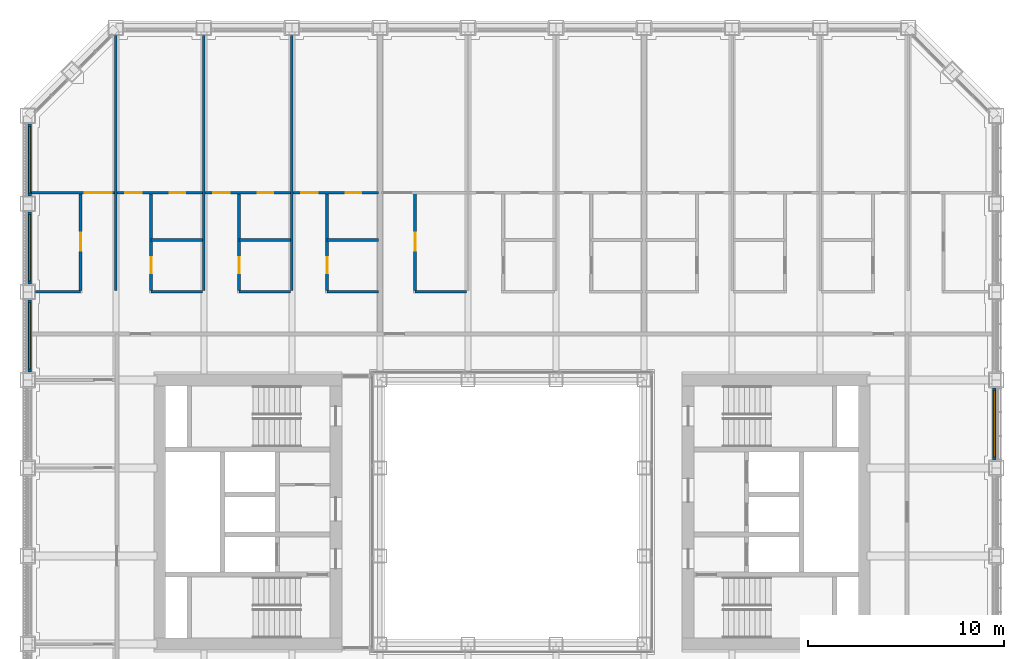
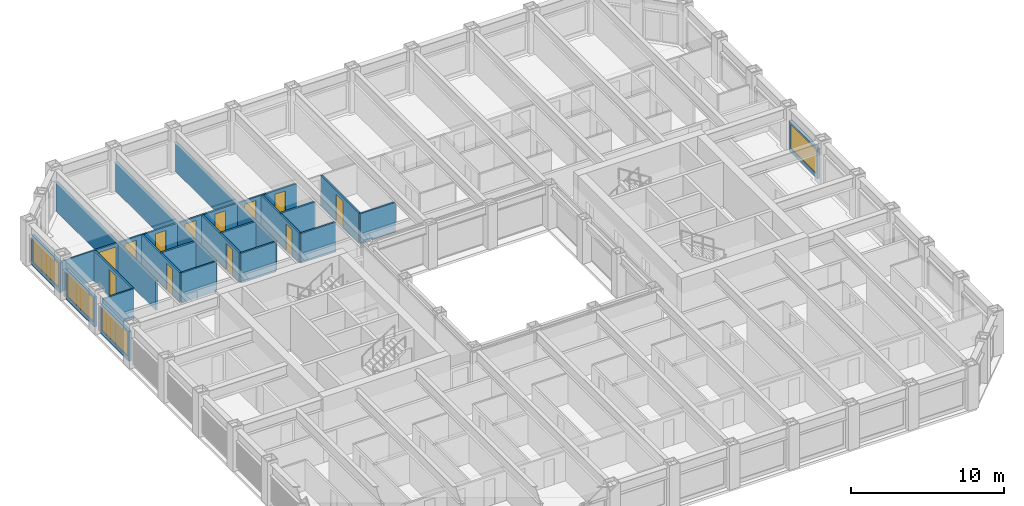
# One storey, part 13 of 21: 24 walls, 12 doors, 4 windows, 16 openings.
"""IFC4 building model written with IfcOpenShell, lengths in metres."""

from ifc_helpers import new_model, si_unit, direction, frame, frame_2d, origin, place, context, subcontext, project, spatial, rectangle, extrude, material, layer, layer_set, type_object, element, fill, save


model = new_model("IFC4")

# Units and contexts
model_context = context("Model", 3, precision=1e-05, world=origin(), true_north=direction((0.0, 1.0)))
body_context = subcontext(model_context, "Body", "Model", "MODEL_VIEW")
ifc_project = project(units=[si_unit("LENGTHUNIT", "METRE"), si_unit("AREAUNIT", "SQUARE_METRE"), si_unit("VOLUMEUNIT", "CUBIC_METRE"), si_unit("PLANEANGLEUNIT", "RADIAN"), si_unit("MASSUNIT", "GRAM", prefix="KILO")], contexts=[model_context])

# Site, building, storey
site_placement = place(None, origin())
site = spatial("IfcSite", under=ifc_project, at=site_placement, CompositionType="ELEMENT")
building_placement = place(site_placement, origin())
building = spatial("IfcBuilding", under=site, at=building_placement, Name="Msasa Ring Tower", CompositionType="ELEMENT")
storey_placement = place(building_placement, frame((0.0, 0.0, 93.0)))
storey = spatial("IfcBuildingStorey", under=building, at=storey_placement, Name="L24", CompositionType="ELEMENT", Elevation=93.0)

# Wall, opening, window
ifc_material_1 = material(Name="Terracotta rainscreen on blockwork", Category="masonry")
ifc_layer_1 = layer(ifc_material_1, 0.199951171875)
ifc_layer_set_1 = layer_set([ifc_layer_1], Name="FW1 TERRACOTTA-LINED INFILL BAY WALL 200")
wall_type_1 = type_object("IfcWallType", Name="FW1 TERRACOTTA-LINED INFILL BAY WALL 200", PredefinedType="SOLIDWALL", material=ifc_layer_set_1)
wall_1_placement = place(storey_placement, frame((24.64990234375, 2.655029296875, 0.0), z_axis=(0.0, 0.0, 1.0), x_axis=(0.0, 1.0, 0.0)))
wall_1 = element("IfcWall", 1, at=wall_1_placement, inside=storey, type_object=wall_type_1, Name="Infill bay wall E L24 16", PredefinedType="SOLIDWALL", context=body_context, shape_type="SweptSolid", body=[
    extrude(rectangle(XDim=3.68994140625, YDim=0.199951171875, at=frame_2d((1.844970703125, 0.0))), origin(), (0.0, 0.0, 1.0), 2.37890625),
])
opening_1_placement = place(wall_1_placement, frame((0.14501953125, 0.0, 0.300048828125)))
opening_1 = element("IfcOpeningElement", 2, at=opening_1_placement, cuts=wall_1, Name="Opening WN1", PredefinedType="OPENING", context=body_context, shape_type="SweptSolid", body=[
    extrude(rectangle(XDim=3.39990234375, YDim=1.928955078125, at=frame_2d((1.699951171875, 0.96435546875))), frame((0.0, 0.10986328125, 0.0), z_axis=(0.0, -1.0, 0.0), x_axis=(1.0, 0.0, 0.0)), (0.0, 0.0, 1.0), 0.219970703125),
])
ifc_material_2 = material(Name="Aluminium frame with clear glass", Category="aluminium")
window_type = type_object("IfcWindowType", Name="WN1 RESIDENCE WINDOW 3400x1929", PartitioningType="SINGLE_PANEL", PredefinedType="WINDOW", material=ifc_material_2)
window_1_placement = place(opening_1_placement, origin())
window_1 = element("IfcWindow", 3, at=window_1_placement, inside=storey, type_object=window_type, Name="Window E L24 16", OverallHeight=1.928955078125, OverallWidth=3.39990234375, PartitioningType="SINGLE_PANEL", PredefinedType="WINDOW", context=body_context, shape_type="SweptSolid", body=[
    extrude(rectangle(XDim=3.39990234375, YDim=1.928955078125, at=frame_2d((1.699951171875, 0.96435546875))), frame((0.0, 0.030029296875, 0.0), z_axis=(0.0, -1.0, 0.0), x_axis=(1.0, 0.0, 0.0)), (0.0, 0.0, 1.0), 0.06005859375),
])
fill(opening_1, window_1)

wall_2_placement = place(storey_placement, frame((-24.64990234375, 7.155029296875, 0.0), z_axis=(0.0, 0.0, 1.0), x_axis=(0.0, 1.0, 0.0)))
wall_2 = element("IfcWall", 4, at=wall_2_placement, inside=storey, type_object=wall_type_1, Name="Infill bay wall W L24 39", PredefinedType="SOLIDWALL", context=body_context, shape_type="SweptSolid", body=[
    extrude(rectangle(XDim=3.68994140625, YDim=0.199951171875, at=frame_2d((1.844970703125, 0.0))), origin(), (0.0, 0.0, 1.0), 2.37890625),
])
opening_2_placement = place(wall_2_placement, frame((0.14501953125, 0.0, 0.300048828125)))
opening_2 = element("IfcOpeningElement", 5, at=opening_2_placement, cuts=wall_2, Name="Opening WN1", PredefinedType="OPENING", context=body_context, shape_type="SweptSolid", body=[
    extrude(rectangle(XDim=3.39990234375, YDim=1.928955078125, at=frame_2d((1.699951171875, 0.96435546875))), frame((0.0, 0.10986328125, 0.0), z_axis=(0.0, -1.0, 0.0), x_axis=(1.0, 0.0, 0.0)), (0.0, 0.0, 1.0), 0.219970703125),
])
window_2_placement = place(opening_2_placement, origin())
window_2 = element("IfcWindow", 6, at=window_2_placement, inside=storey, type_object=window_type, Name="Window W L24 39", OverallHeight=1.928955078125, OverallWidth=3.39990234375, PartitioningType="SINGLE_PANEL", PredefinedType="WINDOW", context=body_context, shape_type="SweptSolid", body=[
    extrude(rectangle(XDim=3.39990234375, YDim=1.928955078125, at=frame_2d((1.699951171875, 0.96435546875))), frame((0.0, 0.030029296875, 0.0), z_axis=(0.0, -1.0, 0.0), x_axis=(1.0, 0.0, 0.0)), (0.0, 0.0, 1.0), 0.06005859375),
])
fill(opening_2, window_2)

wall_3_placement = place(storey_placement, frame((-24.64990234375, 11.655029296875, 0.0), z_axis=(0.0, 0.0, 1.0), x_axis=(0.0, 1.0, 0.0)))
wall_3 = element("IfcWall", 7, at=wall_3_placement, inside=storey, type_object=wall_type_1, Name="Infill bay wall W L24 40", PredefinedType="SOLIDWALL", context=body_context, shape_type="SweptSolid", body=[
    extrude(rectangle(XDim=3.68994140625, YDim=0.199951171875, at=frame_2d((1.844970703125, 0.0))), origin(), (0.0, 0.0, 1.0), 2.37890625),
])
opening_3_placement = place(wall_3_placement, frame((0.14501953125, 0.0, 0.300048828125)))
opening_3 = element("IfcOpeningElement", 8, at=opening_3_placement, cuts=wall_3, Name="Opening WN1", PredefinedType="OPENING", context=body_context, shape_type="SweptSolid", body=[
    extrude(rectangle(XDim=3.39990234375, YDim=1.928955078125, at=frame_2d((1.699951171875, 0.96435546875))), frame((0.0, 0.10986328125, 0.0), z_axis=(0.0, -1.0, 0.0), x_axis=(1.0, 0.0, 0.0)), (0.0, 0.0, 1.0), 0.219970703125),
])
window_3_placement = place(opening_3_placement, origin())
window_3 = element("IfcWindow", 9, at=window_3_placement, inside=storey, type_object=window_type, Name="Window W L24 40", OverallHeight=1.928955078125, OverallWidth=3.39990234375, PartitioningType="SINGLE_PANEL", PredefinedType="WINDOW", context=body_context, shape_type="SweptSolid", body=[
    extrude(rectangle(XDim=3.39990234375, YDim=1.928955078125, at=frame_2d((1.699951171875, 0.96435546875))), frame((0.0, 0.030029296875, 0.0), z_axis=(0.0, -1.0, 0.0), x_axis=(1.0, 0.0, 0.0)), (0.0, 0.0, 1.0), 0.06005859375),
])
fill(opening_3, window_3)

wall_4_placement = place(storey_placement, frame((-24.64990234375, 16.155029296875, 0.0), z_axis=(0.0, 0.0, 1.0), x_axis=(0.0, 1.0, 0.0)))
wall_4 = element("IfcWall", 10, at=wall_4_placement, inside=storey, type_object=wall_type_1, Name="Infill bay wall W L24 41", PredefinedType="SOLIDWALL", context=body_context, shape_type="SweptSolid", body=[
    extrude(rectangle(XDim=3.68994140625, YDim=0.199951171875, at=frame_2d((1.844970703125, 0.0))), origin(), (0.0, 0.0, 1.0), 2.37890625),
])
opening_4_placement = place(wall_4_placement, frame((0.14501953125, 0.0, 0.300048828125)))
opening_4 = element("IfcOpeningElement", 11, at=opening_4_placement, cuts=wall_4, Name="Opening WN1", PredefinedType="OPENING", context=body_context, shape_type="SweptSolid", body=[
    extrude(rectangle(XDim=3.39990234375, YDim=1.928955078125, at=frame_2d((1.699951171875, 0.96435546875))), frame((0.0, 0.10986328125, 0.0), z_axis=(0.0, -1.0, 0.0), x_axis=(1.0, 0.0, 0.0)), (0.0, 0.0, 1.0), 0.219970703125),
])
window_4_placement = place(opening_4_placement, origin())
window_4 = element("IfcWindow", 12, at=window_4_placement, inside=storey, type_object=window_type, Name="Window W L24 41", OverallHeight=1.928955078125, OverallWidth=3.39990234375, PartitioningType="SINGLE_PANEL", PredefinedType="WINDOW", context=body_context, shape_type="SweptSolid", body=[
    extrude(rectangle(XDim=3.39990234375, YDim=1.928955078125, at=frame_2d((1.699951171875, 0.96435546875))), frame((0.0, 0.030029296875, 0.0), z_axis=(0.0, -1.0, 0.0), x_axis=(1.0, 0.0, 0.0)), (0.0, 0.0, 1.0), 0.06005859375),
])
fill(opening_4, window_4)

# Wall, opening, door
ifc_material_3 = material(Name="Moisture-resistant board on steel studs with a concealed cistern and pipe void, tiled", Category="steel")
ifc_layer_2 = layer(ifc_material_3, 0.14990234375)
ifc_layer_set_2 = layer_set([ifc_layer_2], Name="PT4 BATHROOM WET WALL 150")
wall_type_2 = type_object("IfcWallType", Name="PT4 BATHROOM WET WALL 150", PredefinedType="PARTITIONING", material=ifc_layer_set_2)
wall_5_placement = place(storey_placement, frame((-22.050048828125, 11.3125, 0.0), z_axis=(0.0, 0.0, 1.0), x_axis=(0.0, 1.0, 0.0)))
wall_5 = element("IfcWall", 13, at=wall_5_placement, inside=storey, type_object=wall_type_2, Name="Partition L24-UN00SX0", PredefinedType="PARTITIONING", context=body_context, shape_type="SweptSolid", body=[
    extrude(rectangle(XDim=5.0, YDim=0.14990234375, at=frame_2d((2.5, 0.0))), origin(), (0.0, 0.0, 1.0), 2.373291015625),
])
opening_5_placement = place(wall_5_placement, frame((2.050048828125, 0.0, 0.0)))
opening_5 = element("IfcOpeningElement", 14, at=opening_5_placement, cuts=wall_5, Name="Opening RG-020", PredefinedType="OPENING", context=body_context, shape_type="SweptSolid", body=[
    extrude(rectangle(XDim=0.89990234375, YDim=2.10009765625, at=frame_2d((0.449951171875, 1.050048828125))), frame((0.0, 0.0849609375, 0.0), z_axis=(0.0, -1.0, 0.0), x_axis=(1.0, 0.0, 0.0)), (0.0, 0.0, 1.0), 0.169921875),
])
ifc_material_4 = material(Name="Timber door leaf in a steel frame", Category="steel")
door_type_1 = type_object("IfcDoorType", Name="D22 INTERNAL HALL DOOR 900x2100", OperationType="SINGLE_SWING_LEFT", PredefinedType="DOOR", material=ifc_material_4)
door_1_placement = place(opening_5_placement, origin())
door_1 = element("IfcDoor", 15, at=door_1_placement, inside=storey, type_object=door_type_1, Name="Door L24-UN00K", OperationType="SINGLE_SWING_LEFT", OverallHeight=2.10009765625, OverallWidth=0.89990234375, PredefinedType="DOOR", context=body_context, shape_type="SweptSolid", body=[
    extrude(rectangle(XDim=0.89990234375, YDim=2.10009765625, at=frame_2d((0.449951171875, 1.050048828125))), frame((0.0, 0.02490234375, 0.0), z_axis=(0.0, -1.0, 0.0), x_axis=(1.0, 0.0, 0.0)), (0.0, 0.0, 1.0), 0.050048828125),
])
fill(opening_5, door_1)

wall_6_placement = place(storey_placement, frame((-18.449951171875, 11.3125, 0.0), z_axis=(0.0, 0.0, 1.0), x_axis=(0.0, 1.0, 0.0)))
wall_6 = element("IfcWall", 16, at=wall_6_placement, inside=storey, type_object=wall_type_2, Name="Partition L24-UN00SX1", PredefinedType="PARTITIONING", context=body_context, shape_type="SweptSolid", body=[
    extrude(rectangle(XDim=5.0, YDim=0.14990234375, at=frame_2d((2.5, 0.0))), origin(), (0.0, 0.0, 1.0), 2.373291015625),
])
opening_6_placement = place(wall_6_placement, frame((0.89990234375, 0.0, 0.0)))
opening_6 = element("IfcOpeningElement", 17, at=opening_6_placement, cuts=wall_6, Name="Opening RG-023", PredefinedType="OPENING", context=body_context, shape_type="SweptSolid", body=[
    extrude(rectangle(XDim=0.800048828125, YDim=2.10009765625, at=frame_2d((0.39990234375, 1.050048828125))), frame((0.0, 0.0849609375, 0.0), z_axis=(0.0, -1.0, 0.0), x_axis=(1.0, 0.0, 0.0)), (0.0, 0.0, 1.0), 0.169921875),
])
ifc_material_5 = material(Name="Timber door leaf in a steel frame", Category="steel")
door_type_2 = type_object("IfcDoorType", Name="D21 POCKET SLIDING BATHROOM DOOR 800x2100", OperationType="SINGLE_SWING_LEFT", PredefinedType="DOOR", material=ifc_material_5)
door_2_placement = place(opening_6_placement, origin())
door_2 = element("IfcDoor", 18, at=door_2_placement, inside=storey, type_object=door_type_2, Name="Door L24-UN00B1", OperationType="SINGLE_SWING_LEFT", OverallHeight=2.10009765625, OverallWidth=0.800048828125, PredefinedType="DOOR", context=body_context, shape_type="SweptSolid", body=[
    extrude(rectangle(XDim=0.800048828125, YDim=2.10009765625, at=frame_2d((0.39990234375, 1.050048828125))), frame((0.0, 0.02490234375, 0.0), z_axis=(0.0, -1.0, 0.0), x_axis=(1.0, 0.0, 0.0)), (0.0, 0.0, 1.0), 0.050048828125),
])
fill(opening_6, door_2)

# Wall
wall_7_placement = place(storey_placement, frame((-18.449951171875, 13.91259765625, 0.0), z_axis=(0.0, 0.0, 1.0), x_axis=(1.0, 0.0, 0.0)))
element("IfcWall", 19, at=wall_7_placement, inside=storey, type_object=wall_type_2, Name="Partition L24-UN00SB1", PredefinedType="PARTITIONING", context=body_context, shape_type="SweptSolid", body=[
    extrude(rectangle(XDim=2.637451171875, YDim=0.14990234375, at=frame_2d((1.31884765625, 0.0))), origin(), (0.0, 0.0, 1.0), 2.373291015625),
])

# Wall, opening, door
wall_8_placement = place(storey_placement, frame((-13.949951171875, 11.3125, 0.0), z_axis=(0.0, 0.0, 1.0), x_axis=(0.0, 1.0, 0.0)))
wall_8 = element("IfcWall", 20, at=wall_8_placement, inside=storey, type_object=wall_type_2, Name="Partition L24-UN00SX2", PredefinedType="PARTITIONING", context=body_context, shape_type="SweptSolid", body=[
    extrude(rectangle(XDim=5.0, YDim=0.14990234375, at=frame_2d((2.5, 0.0))), origin(), (0.0, 0.0, 1.0), 2.373291015625),
])
opening_7_placement = place(wall_8_placement, frame((0.89990234375, 0.0, 0.0)))
opening_7 = element("IfcOpeningElement", 21, at=opening_7_placement, cuts=wall_8, Name="Opening RG-024", PredefinedType="OPENING", context=body_context, shape_type="SweptSolid", body=[
    extrude(rectangle(XDim=0.800048828125, YDim=2.10009765625, at=frame_2d((0.39990234375, 1.050048828125))), frame((0.0, 0.0849609375, 0.0), z_axis=(0.0, -1.0, 0.0), x_axis=(1.0, 0.0, 0.0)), (0.0, 0.0, 1.0), 0.169921875),
])
door_3_placement = place(opening_7_placement, origin())
door_3 = element("IfcDoor", 22, at=door_3_placement, inside=storey, type_object=door_type_2, Name="Door L24-UN00B2", OperationType="SINGLE_SWING_LEFT", OverallHeight=2.10009765625, OverallWidth=0.800048828125, PredefinedType="DOOR", context=body_context, shape_type="SweptSolid", body=[
    extrude(rectangle(XDim=0.800048828125, YDim=2.10009765625, at=frame_2d((0.39990234375, 1.050048828125))), frame((0.0, 0.02490234375, 0.0), z_axis=(0.0, -1.0, 0.0), x_axis=(1.0, 0.0, 0.0)), (0.0, 0.0, 1.0), 0.050048828125),
])
fill(opening_7, door_3)

# Wall
wall_9_placement = place(storey_placement, frame((-13.949951171875, 13.91259765625, 0.0), z_axis=(0.0, 0.0, 1.0), x_axis=(1.0, 0.0, 0.0)))
element("IfcWall", 23, at=wall_9_placement, inside=storey, type_object=wall_type_2, Name="Partition L24-UN00SB2", PredefinedType="PARTITIONING", context=body_context, shape_type="SweptSolid", body=[
    extrude(rectangle(XDim=2.637451171875, YDim=0.14990234375, at=frame_2d((1.31884765625, 0.0))), origin(), (0.0, 0.0, 1.0), 2.373291015625),
])

# Wall, opening, door
wall_10_placement = place(storey_placement, frame((-9.449951171875, 11.3125, 0.0), z_axis=(0.0, 0.0, 1.0), x_axis=(0.0, 1.0, 0.0)))
wall_10 = element("IfcWall", 24, at=wall_10_placement, inside=storey, type_object=wall_type_2, Name="Partition L24-UN00SX3", PredefinedType="PARTITIONING", context=body_context, shape_type="SweptSolid", body=[
    extrude(rectangle(XDim=5.0, YDim=0.14990234375, at=frame_2d((2.5, 0.0))), origin(), (0.0, 0.0, 1.0), 2.373291015625),
])
opening_8_placement = place(wall_10_placement, frame((0.89990234375, 0.0, 0.0)))
opening_8 = element("IfcOpeningElement", 25, at=opening_8_placement, cuts=wall_10, Name="Opening RG-025", PredefinedType="OPENING", context=body_context, shape_type="SweptSolid", body=[
    extrude(rectangle(XDim=0.800048828125, YDim=2.10009765625, at=frame_2d((0.39990234375, 1.050048828125))), frame((0.0, 0.0849609375, 0.0), z_axis=(0.0, -1.0, 0.0), x_axis=(1.0, 0.0, 0.0)), (0.0, 0.0, 1.0), 0.169921875),
])
door_4_placement = place(opening_8_placement, origin())
door_4 = element("IfcDoor", 26, at=door_4_placement, inside=storey, type_object=door_type_2, Name="Door L24-UN00B3", OperationType="SINGLE_SWING_LEFT", OverallHeight=2.10009765625, OverallWidth=0.800048828125, PredefinedType="DOOR", context=body_context, shape_type="SweptSolid", body=[
    extrude(rectangle(XDim=0.800048828125, YDim=2.10009765625, at=frame_2d((0.39990234375, 1.050048828125))), frame((0.0, 0.02490234375, 0.0), z_axis=(0.0, -1.0, 0.0), x_axis=(1.0, 0.0, 0.0)), (0.0, 0.0, 1.0), 0.050048828125),
])
fill(opening_8, door_4)

# Wall
wall_11_placement = place(storey_placement, frame((-9.449951171875, 13.91259765625, 0.0), z_axis=(0.0, 0.0, 1.0), x_axis=(1.0, 0.0, 0.0)))
element("IfcWall", 27, at=wall_11_placement, inside=storey, type_object=wall_type_2, Name="Partition L24-UN00SB3", PredefinedType="PARTITIONING", context=body_context, shape_type="SweptSolid", body=[
    extrude(rectangle(XDim=2.632568359375, YDim=0.14990234375, at=frame_2d((1.31640625, 0.0))), origin(), (0.0, 0.0, 1.0), 2.373291015625),
])

# Wall, opening, door
wall_12_placement = place(storey_placement, frame((-4.949951171875, 11.3125, 0.0), z_axis=(0.0, 0.0, 1.0), x_axis=(0.0, 1.0, 0.0)))
wall_12 = element("IfcWall", 28, at=wall_12_placement, inside=storey, type_object=wall_type_2, Name="Partition L24-UN01SX0", PredefinedType="PARTITIONING", context=body_context, shape_type="SweptSolid", body=[
    extrude(rectangle(XDim=5.0, YDim=0.14990234375, at=frame_2d((2.5, 0.0))), origin(), (0.0, 0.0, 1.0), 2.373291015625),
])
opening_9_placement = place(wall_12_placement, frame((2.050048828125, 0.0, 0.0)))
opening_9 = element("IfcOpeningElement", 29, at=opening_9_placement, cuts=wall_12, Name="Opening RG-021", PredefinedType="OPENING", context=body_context, shape_type="SweptSolid", body=[
    extrude(rectangle(XDim=0.89990234375, YDim=2.10009765625, at=frame_2d((0.449951171875, 1.050048828125))), frame((0.0, 0.0849609375, 0.0), z_axis=(0.0, -1.0, 0.0), x_axis=(1.0, 0.0, 0.0)), (0.0, 0.0, 1.0), 0.169921875),
])
door_5_placement = place(opening_9_placement, origin())
door_5 = element("IfcDoor", 30, at=door_5_placement, inside=storey, type_object=door_type_1, Name="Door L24-UN01K", OperationType="SINGLE_SWING_LEFT", OverallHeight=2.10009765625, OverallWidth=0.89990234375, PredefinedType="DOOR", context=body_context, shape_type="SweptSolid", body=[
    extrude(rectangle(XDim=0.89990234375, YDim=2.10009765625, at=frame_2d((0.449951171875, 1.050048828125))), frame((0.0, 0.02490234375, 0.0), z_axis=(0.0, -1.0, 0.0), x_axis=(1.0, 0.0, 0.0)), (0.0, 0.0, 1.0), 0.050048828125),
])
fill(opening_9, door_5)

# Wall
ifc_material_6 = material(Name="Two layers of acoustic board each face on steel studs, mineral wool", Category="steel")
ifc_layer_3 = layer(ifc_material_6, 0.125)
ifc_layer_set_3 = layer_set([ifc_layer_3], Name="PT6 ACOUSTIC DOUBLE-BOARD PARTITION 125")
wall_type_3 = type_object("IfcWallType", Name="PT6 ACOUSTIC DOUBLE-BOARD PARTITION 125", PredefinedType="PARTITIONING", material=ifc_layer_set_3)
wall_13_placement = place(storey_placement, frame((-24.35009765625, 11.25, 0.0), z_axis=(0.0, 0.0, 1.0), x_axis=(1.0, 0.0, 0.0)))
element("IfcWall", 31, at=wall_13_placement, inside=storey, type_object=wall_type_3, Name="Partition L24-UN00HY0", PredefinedType="PARTITIONING", context=body_context, shape_type="SweptSolid", body=[
    extrude(rectangle(XDim=2.300048828125, YDim=0.125, at=frame_2d((1.14990234375, 0.0))), origin(), (0.0, 0.0, 1.0), 2.373291015625),
])

# Wall, opening, door
wall_14_placement = place(storey_placement, frame((-24.550048828125, 16.3125, 0.0), z_axis=(0.0, 0.0, 1.0), x_axis=(1.0, 0.0, 0.0)))
wall_14 = element("IfcWall", 32, at=wall_14_placement, inside=storey, type_object=wall_type_3, Name="Partition L24-UN00SY0", PredefinedType="PARTITIONING", context=body_context, shape_type="SweptSolid", body=[
    extrude(rectangle(XDim=4.237548828125, YDim=0.125, at=frame_2d((2.11865234375, 0.0))), origin(), (0.0, 0.0, 1.0), 2.373291015625),
])
opening_10_placement = place(wall_14_placement, frame((2.699951171875, 0.0, 0.0)))
opening_10 = element("IfcOpeningElement", 33, at=opening_10_placement, cuts=wall_14, Name="Opening RG-001", PredefinedType="OPENING", context=body_context, shape_type="SweptSolid", body=[
    extrude(rectangle(XDim=1.39990234375, YDim=2.10009765625, at=frame_2d((0.699951171875, 1.050048828125))), frame((0.0, 0.072509765625, 0.0), z_axis=(0.0, -1.0, 0.0), x_axis=(1.0, 0.0, 0.0)), (0.0, 0.0, 1.0), 0.14501953125),
])
ifc_material_7 = material(Name="Timber door leaf in a steel frame", Category="steel")
door_type_3 = type_object("IfcDoorType", Name="D15 LIVING ROOM PAIR OF GLAZED DOORS 1400x2100", OperationType="SINGLE_SWING_LEFT", PredefinedType="DOOR", material=ifc_material_7)
door_6_placement = place(opening_10_placement, origin())
door_6 = element("IfcDoor", 34, at=door_6_placement, inside=storey, type_object=door_type_3, Name="Door L24-UN00L", OperationType="SINGLE_SWING_RIGHT", OverallHeight=2.10009765625, OverallWidth=1.39990234375, PredefinedType="DOOR", context=body_context, shape_type="SweptSolid", body=[
    extrude(rectangle(XDim=1.39990234375, YDim=2.10009765625, at=frame_2d((0.699951171875, 1.050048828125))), frame((0.0, 0.02490234375, 0.0), z_axis=(0.0, -1.0, 0.0), x_axis=(1.0, 0.0, 0.0)), (0.0, 0.0, 1.0), 0.050048828125),
])
fill(opening_10, door_6)

# Walls
wall_15_placement = place(storey_placement, frame((-20.25, 11.3125, 0.0), z_axis=(0.0, 0.0, 1.0), x_axis=(0.0, 1.0, 0.0)))
element("IfcWall", 35, at=wall_15_placement, inside=storey, type_object=wall_type_3, Name="Partition L24-UN00P1", PredefinedType="PARTITIONING", context=body_context, shape_type="SweptSolid", body=[
    extrude(rectangle(XDim=13.03759765625, YDim=0.125, at=frame_2d((6.518798828125, 0.0))), origin(), (0.0, 0.0, 1.0), 2.373291015625),
])
wall_16_placement = place(storey_placement, frame((-18.449951171875, 11.25, 0.0), z_axis=(0.0, 0.0, 1.0), x_axis=(1.0, 0.0, 0.0)))
element("IfcWall", 36, at=wall_16_placement, inside=storey, type_object=wall_type_3, Name="Partition L24-UN00HY1", PredefinedType="PARTITIONING", context=body_context, shape_type="SweptSolid", body=[
    extrude(rectangle(XDim=2.632568359375, YDim=0.125, at=frame_2d((1.31640625, 0.0))), origin(), (0.0, 0.0, 1.0), 2.373291015625),
])

# Wall, openings, doors
wall_17_placement = place(storey_placement, frame((-20.1875, 16.3125, 0.0), z_axis=(0.0, 0.0, 1.0), x_axis=(1.0, 0.0, 0.0)))
wall_17 = element("IfcWall", 37, at=wall_17_placement, inside=storey, type_object=wall_type_3, Name="Partition L24-UN00SY1", PredefinedType="PARTITIONING", context=body_context, shape_type="SweptSolid", body=[
    extrude(rectangle(XDim=4.375, YDim=0.125, at=frame_2d((2.1875, 0.0))), origin(), (0.0, 0.0, 1.0), 2.373291015625),
])
opening_11_placement = place(wall_17_placement, frame((0.41259765625, 0.0, 0.0)))
opening_11 = element("IfcOpeningElement", 38, at=opening_11_placement, cuts=wall_17, Name="Opening RG-002", PredefinedType="OPENING", context=body_context, shape_type="SweptSolid", body=[
    extrude(rectangle(XDim=0.85009765625, YDim=2.10009765625, at=frame_2d((0.425048828125, 1.050048828125))), frame((0.0, 0.072509765625, 0.0), z_axis=(0.0, -1.0, 0.0), x_axis=(1.0, 0.0, 0.0)), (0.0, 0.0, 1.0), 0.14501953125),
])
opening_12_placement = place(wall_17_placement, frame((2.693603515625, 0.0, 0.0)))
opening_12 = element("IfcOpeningElement", 39, at=opening_12_placement, cuts=wall_17, Name="Opening RG-003", PredefinedType="OPENING", context=body_context, shape_type="SweptSolid", body=[
    extrude(rectangle(XDim=0.800048828125, YDim=2.10009765625, at=frame_2d((0.39990234375, 1.050048828125))), frame((0.0, 0.072509765625, 0.0), z_axis=(0.0, -1.0, 0.0), x_axis=(1.0, 0.0, 0.0)), (0.0, 0.0, 1.0), 0.14501953125),
])
ifc_material_8 = material(Name="Timber door leaf in a steel frame", Category="steel")
door_type_4 = type_object("IfcDoorType", Name="D14 BEDROOM DOOR 850x2100", OperationType="SINGLE_SWING_LEFT", PredefinedType="DOOR", material=ifc_material_8)
door_7_placement = place(opening_11_placement, origin())
door_7 = element("IfcDoor", 40, at=door_7_placement, inside=storey, type_object=door_type_4, Name="Door L24-UN00R1", OperationType="SINGLE_SWING_LEFT", OverallHeight=2.10009765625, OverallWidth=0.85009765625, PredefinedType="DOOR", context=body_context, shape_type="SweptSolid", body=[
    extrude(rectangle(XDim=0.85009765625, YDim=2.10009765625, at=frame_2d((0.425048828125, 1.050048828125))), frame((0.0, 0.02490234375, 0.0), z_axis=(0.0, -1.0, 0.0), x_axis=(1.0, 0.0, 0.0)), (0.0, 0.0, 1.0), 0.050048828125),
])
fill(opening_11, door_7)
ifc_material_9 = material(Name="Timber door leaf in a steel frame", Category="steel")
door_type_5 = type_object("IfcDoorType", Name="D60 DRESSING ROOM DOOR 800x2100", OperationType="SINGLE_SWING_LEFT", PredefinedType="DOOR", material=ifc_material_9)
door_8_placement = place(opening_12_placement, origin())
door_8 = element("IfcDoor", 41, at=door_8_placement, inside=storey, type_object=door_type_5, Name="Door L24-UN00W1", OperationType="SINGLE_SWING_RIGHT", OverallHeight=2.10009765625, OverallWidth=0.800048828125, PredefinedType="DOOR", context=body_context, shape_type="SweptSolid", body=[
    extrude(rectangle(XDim=0.800048828125, YDim=2.10009765625, at=frame_2d((0.39990234375, 1.050048828125))), frame((0.0, 0.02490234375, 0.0), z_axis=(0.0, -1.0, 0.0), x_axis=(1.0, 0.0, 0.0)), (0.0, 0.0, 1.0), 0.050048828125),
])
fill(opening_12, door_8)

# Walls
wall_18_placement = place(storey_placement, frame((-15.75, 11.3125, 0.0), z_axis=(0.0, 0.0, 1.0), x_axis=(0.0, 1.0, 0.0)))
element("IfcWall", 42, at=wall_18_placement, inside=storey, type_object=wall_type_3, Name="Partition L24-UN00P2", PredefinedType="PARTITIONING", context=body_context, shape_type="SweptSolid", body=[
    extrude(rectangle(XDim=13.03759765625, YDim=0.125, at=frame_2d((6.518798828125, 0.0))), origin(), (0.0, 0.0, 1.0), 2.373291015625),
])
wall_19_placement = place(storey_placement, frame((-13.949951171875, 11.25, 0.0), z_axis=(0.0, 0.0, 1.0), x_axis=(1.0, 0.0, 0.0)))
element("IfcWall", 43, at=wall_19_placement, inside=storey, type_object=wall_type_3, Name="Partition L24-UN00HY2", PredefinedType="PARTITIONING", context=body_context, shape_type="SweptSolid", body=[
    extrude(rectangle(XDim=2.632568359375, YDim=0.125, at=frame_2d((1.31640625, 0.0))), origin(), (0.0, 0.0, 1.0), 2.373291015625),
])

# Wall, openings, doors
wall_20_placement = place(storey_placement, frame((-15.6875, 16.3125, 0.0), z_axis=(0.0, 0.0, 1.0), x_axis=(1.0, 0.0, 0.0)))
wall_20 = element("IfcWall", 44, at=wall_20_placement, inside=storey, type_object=wall_type_3, Name="Partition L24-UN00SY2", PredefinedType="PARTITIONING", context=body_context, shape_type="SweptSolid", body=[
    extrude(rectangle(XDim=4.375, YDim=0.125, at=frame_2d((2.1875, 0.0))), origin(), (0.0, 0.0, 1.0), 2.373291015625),
])
opening_13_placement = place(wall_20_placement, frame((0.41259765625, 0.0, 0.0)))
opening_13 = element("IfcOpeningElement", 45, at=opening_13_placement, cuts=wall_20, Name="Opening RG-004", PredefinedType="OPENING", context=body_context, shape_type="SweptSolid", body=[
    extrude(rectangle(XDim=0.85009765625, YDim=2.10009765625, at=frame_2d((0.425048828125, 1.050048828125))), frame((0.0, 0.072509765625, 0.0), z_axis=(0.0, -1.0, 0.0), x_axis=(1.0, 0.0, 0.0)), (0.0, 0.0, 1.0), 0.14501953125),
])
opening_14_placement = place(wall_20_placement, frame((2.693603515625, 0.0, 0.0)))
opening_14 = element("IfcOpeningElement", 46, at=opening_14_placement, cuts=wall_20, Name="Opening RG-005", PredefinedType="OPENING", context=body_context, shape_type="SweptSolid", body=[
    extrude(rectangle(XDim=0.800048828125, YDim=2.10009765625, at=frame_2d((0.39990234375, 1.050048828125))), frame((0.0, 0.072509765625, 0.0), z_axis=(0.0, -1.0, 0.0), x_axis=(1.0, 0.0, 0.0)), (0.0, 0.0, 1.0), 0.14501953125),
])
door_9_placement = place(opening_13_placement, origin())
door_9 = element("IfcDoor", 47, at=door_9_placement, inside=storey, type_object=door_type_4, Name="Door L24-UN00R2", OperationType="SINGLE_SWING_LEFT", OverallHeight=2.10009765625, OverallWidth=0.85009765625, PredefinedType="DOOR", context=body_context, shape_type="SweptSolid", body=[
    extrude(rectangle(XDim=0.85009765625, YDim=2.10009765625, at=frame_2d((0.425048828125, 1.050048828125))), frame((0.0, 0.02490234375, 0.0), z_axis=(0.0, -1.0, 0.0), x_axis=(1.0, 0.0, 0.0)), (0.0, 0.0, 1.0), 0.050048828125),
])
fill(opening_13, door_9)
door_10_placement = place(opening_14_placement, origin())
door_10 = element("IfcDoor", 48, at=door_10_placement, inside=storey, type_object=door_type_5, Name="Door L24-UN00W2", OperationType="SINGLE_SWING_RIGHT", OverallHeight=2.10009765625, OverallWidth=0.800048828125, PredefinedType="DOOR", context=body_context, shape_type="SweptSolid", body=[
    extrude(rectangle(XDim=0.800048828125, YDim=2.10009765625, at=frame_2d((0.39990234375, 1.050048828125))), frame((0.0, 0.02490234375, 0.0), z_axis=(0.0, -1.0, 0.0), x_axis=(1.0, 0.0, 0.0)), (0.0, 0.0, 1.0), 0.050048828125),
])
fill(opening_14, door_10)

# Walls
wall_21_placement = place(storey_placement, frame((-11.25, 11.3125, 0.0), z_axis=(0.0, 0.0, 1.0), x_axis=(0.0, 1.0, 0.0)))
element("IfcWall", 49, at=wall_21_placement, inside=storey, type_object=wall_type_3, Name="Partition L24-UN00P3", PredefinedType="PARTITIONING", context=body_context, shape_type="SweptSolid", body=[
    extrude(rectangle(XDim=13.03759765625, YDim=0.125, at=frame_2d((6.518798828125, 0.0))), origin(), (0.0, 0.0, 1.0), 2.373291015625),
])
wall_22_placement = place(storey_placement, frame((-9.449951171875, 11.25, 0.0), z_axis=(0.0, 0.0, 1.0), x_axis=(1.0, 0.0, 0.0)))
element("IfcWall", 50, at=wall_22_placement, inside=storey, type_object=wall_type_3, Name="Partition L24-UN00HY3", PredefinedType="PARTITIONING", context=body_context, shape_type="SweptSolid", body=[
    extrude(rectangle(XDim=2.632568359375, YDim=0.125, at=frame_2d((1.31640625, 0.0))), origin(), (0.0, 0.0, 1.0), 2.373291015625),
])

# Wall, openings, doors
wall_23_placement = place(storey_placement, frame((-11.1875, 16.3125, 0.0), z_axis=(0.0, 0.0, 1.0), x_axis=(1.0, 0.0, 0.0)))
wall_23 = element("IfcWall", 51, at=wall_23_placement, inside=storey, type_object=wall_type_3, Name="Partition L24-UN00SY3", PredefinedType="PARTITIONING", context=body_context, shape_type="SweptSolid", body=[
    extrude(rectangle(XDim=4.3701171875, YDim=0.125, at=frame_2d((2.18505859375, 0.0))), origin(), (0.0, 0.0, 1.0), 2.373291015625),
])
opening_15_placement = place(wall_23_placement, frame((0.41259765625, 0.0, 0.0)))
opening_15 = element("IfcOpeningElement", 52, at=opening_15_placement, cuts=wall_23, Name="Opening RG-006", PredefinedType="OPENING", context=body_context, shape_type="SweptSolid", body=[
    extrude(rectangle(XDim=0.85009765625, YDim=2.10009765625, at=frame_2d((0.425048828125, 1.050048828125))), frame((0.0, 0.072509765625, 0.0), z_axis=(0.0, -1.0, 0.0), x_axis=(1.0, 0.0, 0.0)), (0.0, 0.0, 1.0), 0.14501953125),
])
opening_16_placement = place(wall_23_placement, frame((2.693603515625, 0.0, 0.0)))
opening_16 = element("IfcOpeningElement", 53, at=opening_16_placement, cuts=wall_23, Name="Opening RG-007", PredefinedType="OPENING", context=body_context, shape_type="SweptSolid", body=[
    extrude(rectangle(XDim=0.800048828125, YDim=2.10009765625, at=frame_2d((0.39990234375, 1.050048828125))), frame((0.0, 0.072509765625, 0.0), z_axis=(0.0, -1.0, 0.0), x_axis=(1.0, 0.0, 0.0)), (0.0, 0.0, 1.0), 0.14501953125),
])
door_11_placement = place(opening_15_placement, origin())
door_11 = element("IfcDoor", 54, at=door_11_placement, inside=storey, type_object=door_type_4, Name="Door L24-UN00R3", OperationType="SINGLE_SWING_LEFT", OverallHeight=2.10009765625, OverallWidth=0.85009765625, PredefinedType="DOOR", context=body_context, shape_type="SweptSolid", body=[
    extrude(rectangle(XDim=0.85009765625, YDim=2.10009765625, at=frame_2d((0.425048828125, 1.050048828125))), frame((0.0, 0.02490234375, 0.0), z_axis=(0.0, -1.0, 0.0), x_axis=(1.0, 0.0, 0.0)), (0.0, 0.0, 1.0), 0.050048828125),
])
fill(opening_15, door_11)
door_12_placement = place(opening_16_placement, origin())
door_12 = element("IfcDoor", 55, at=door_12_placement, inside=storey, type_object=door_type_5, Name="Door L24-UN00W3", OperationType="SINGLE_SWING_RIGHT", OverallHeight=2.10009765625, OverallWidth=0.800048828125, PredefinedType="DOOR", context=body_context, shape_type="SweptSolid", body=[
    extrude(rectangle(XDim=0.800048828125, YDim=2.10009765625, at=frame_2d((0.39990234375, 1.050048828125))), frame((0.0, 0.02490234375, 0.0), z_axis=(0.0, -1.0, 0.0), x_axis=(1.0, 0.0, 0.0)), (0.0, 0.0, 1.0), 0.050048828125),
])
fill(opening_16, door_12)

# Wall
wall_24_placement = place(storey_placement, frame((-4.949951171875, 11.25, 0.0), z_axis=(0.0, 0.0, 1.0), x_axis=(1.0, 0.0, 0.0)))
element("IfcWall", 56, at=wall_24_placement, inside=storey, type_object=wall_type_3, Name="Partition L24-UN01HY0", PredefinedType="PARTITIONING", context=body_context, shape_type="SweptSolid", body=[
    extrude(rectangle(XDim=2.632568359375, YDim=0.125, at=frame_2d((1.31640625, 0.0))), origin(), (0.0, 0.0, 1.0), 2.373291015625),
])

save(model, "model.ifc")
